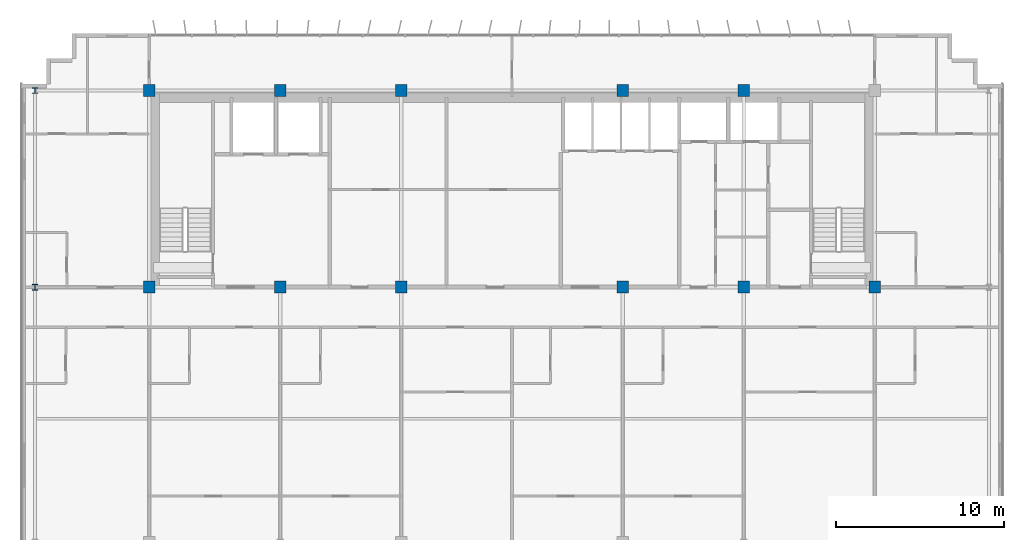
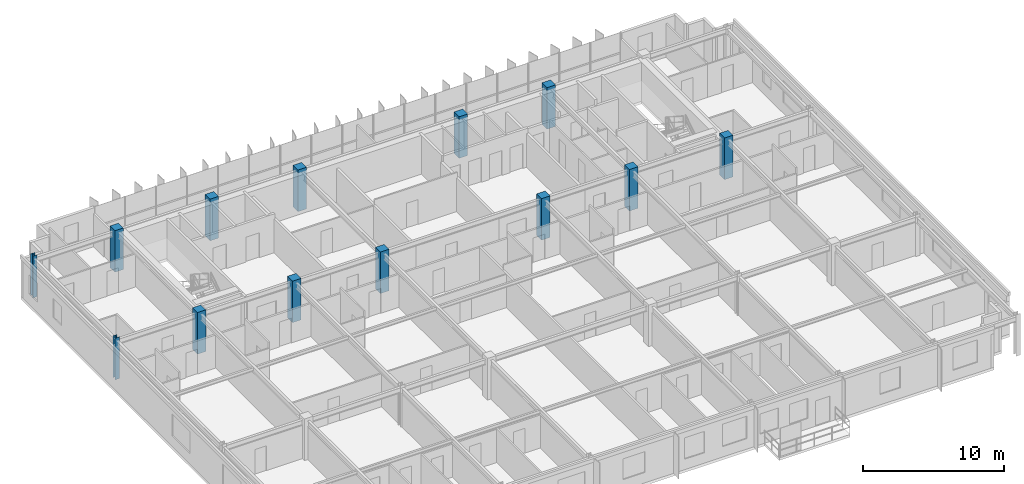
# One storey, part 3 of 23: 13 columns.
"""IFC4 building model written with IfcOpenShell, lengths in metres."""

from ifc_helpers import new_model, si_unit, direction, frame, origin, origin_2d, place, context, subcontext, project, spatial, rectangle, i_section, extrude, source, transform, mapped, material, material_profile, profile_set, type_object, element, save


model = new_model("IFC4")

# Units and contexts
model_context = context("Model", 3, precision=1e-05, world=origin(), true_north=direction((0.0, 1.0)))
body_context = subcontext(model_context, "Body", "Model", "MODEL_VIEW")
ifc_project = project(units=[si_unit("LENGTHUNIT", "METRE"), si_unit("AREAUNIT", "SQUARE_METRE"), si_unit("VOLUMEUNIT", "CUBIC_METRE"), si_unit("PLANEANGLEUNIT", "RADIAN"), si_unit("MASSUNIT", "GRAM", prefix="KILO")], contexts=[model_context])

# Site, building, storey
site_placement = place(None, origin())
site = spatial("IfcSite", under=ifc_project, at=site_placement, CompositionType="ELEMENT")
building_placement = place(site_placement, origin())
building = spatial("IfcBuilding", under=site, at=building_placement, Name="Trelvane Seafront Commons", CompositionType="ELEMENT")
storey_placement = place(building_placement, frame((0.0, 0.0, 222.89990234375)))
storey = spatial("IfcBuildingStorey", under=building, at=storey_placement, Name="L58", CompositionType="ELEMENT", Elevation=222.89990234375)

# Columns
ifc_material_1 = material(Name="Concrete C50/60", Category="concrete")
ifc_material_profile_1 = material_profile(ifc_material_1, rectangle(XDim=0.699951171875, YDim=0.699951171875, at=origin_2d()), Name="RC-700x700")
ifc_profile_set_1 = profile_set([ifc_material_profile_1], Name="Concrete C50/60")
column_type_1 = type_object("IfcColumnType", Name="STR-COL-RC700", PredefinedType="COLUMN", material=ifc_profile_set_1)
shared_shape_1 = source(origin(), body_context, "Body", "SweptSolid", [
    extrude(rectangle(XDim=0.699951171875, YDim=0.699951171875, at=origin_2d()), origin(), (0.0, 0.0, 1.0), 3.60009765625),
])
for number, where, z_axis, x_axis, name in (
    (1, (15.60009765625, 33.39990234375, 0.0), (0.0, 0.0, 1.0), (1.0, 0.0, 0.0), "L58 Column TC-CS15.6"),
    (2, (15.60009765625, 45.10009765625, 0.0), (0.0, 0.0, 1.0), (1.0, 0.0, 0.0), "L58 Column TC-CN15.6"),
    (3, (23.39990234375, 33.39990234375, 0.0), (0.0, 0.0, 1.0), (1.0, 0.0, 0.0), "L58 Column TC-CS23.4"),
    (4, (23.39990234375, 45.10009765625, 0.0), (0.0, 0.0, 1.0), (1.0, 0.0, 0.0), "L58 Column TC-CN23.4"),
    (5, (30.60009765625, 33.39990234375, 0.0), (0.0, 0.0, 1.0), (1.0, 0.0, 0.0), "L58 Column TC-CS30.6"),
    (6, (30.60009765625, 45.10009765625, 0.0), (0.0, 0.0, 1.0), (1.0, 0.0, 0.0), "L58 Column TC-CN30.6"),
    (7, (43.800048828125, 33.39990234375, 0.0), (0.0, 0.0, 1.0), (1.0, 0.0, 0.0), "L58 Column TC-CS43.8"),
    (8, (43.800048828125, 45.10009765625, 0.0), (0.0, 0.0, 1.0), (1.0, 0.0, 0.0), "L58 Column TC-CN43.8"),
    (9, (51.0, 33.39990234375, 0.0), (0.0, 0.0, 1.0), (1.0, 0.0, 0.0), "L58 Column TC-CS51.0"),
    (10, (51.0, 45.10009765625, 0.0), (0.0, 0.0, 1.0), (1.0, 0.0, 0.0), "L58 Column TC-CN51.0"),
    (11, (58.800048828125, 33.39990234375, 0.0), (0.0, 0.0, 1.0), (1.0, 0.0, 0.0), "L58 Column TC-CS58.8"),
):
    element("IfcColumn", number, at=place(storey_placement, frame(where, z_axis=z_axis, x_axis=x_axis)), inside=storey, type_object=column_type_1, Name=name, PredefinedType="COLUMN", context=body_context, shape_type="MappedRepresentation", body=[
        mapped(shared_shape_1, transform((0.0, 0.0, 0.0), x_axis=(1.0, 0.0, 0.0), y_axis=(0.0, 1.0, 0.0), z_axis=(0.0, 0.0, 1.0), scale=1.0)),
    ])
ifc_material_2 = material(Name="Steel SM355 (S355)", Category="steel")
ifc_material_profile_2 = material_profile(ifc_material_2, i_section(OverallWidth=0.35009765625, OverallDepth=0.35009765625, WebThickness=0.01806640625, FlangeThickness=0.028076171875, at=origin_2d()), Name="HD-350x350x18x28")
ifc_profile_set_2 = profile_set([ifc_material_profile_2], Name="Steel SM355 (S355)")
column_type_2 = type_object("IfcColumnType", Name="STR-COL-HD350", PredefinedType="COLUMN", material=ifc_profile_set_2)
shared_shape_2 = source(origin(), body_context, "Body", "SweptSolid", [
    extrude(i_section(OverallWidth=0.35009765625, OverallDepth=0.35009765625, WebThickness=0.01806640625, FlangeThickness=0.028076171875, at=origin_2d()), origin(), (0.0, 0.0, 1.0), 3.60009765625),
])
for number, where, z_axis, x_axis, name in (
    (12, (8.800048828125, 33.39990234375, 0.0), (0.0, 0.0, 1.0), (1.0, 0.0, 0.0), "L58 Column TC-CS8.8"),
    (13, (8.800048828125, 45.10009765625, 0.0), (0.0, 0.0, 1.0), (1.0, 0.0, 0.0), "L58 Column TC-CN8.8"),
):
    element("IfcColumn", number, at=place(storey_placement, frame(where, z_axis=z_axis, x_axis=x_axis)), inside=storey, type_object=column_type_2, Name=name, PredefinedType="COLUMN", context=body_context, shape_type="MappedRepresentation", body=[
        mapped(shared_shape_2, transform((0.0, 0.0, 0.0), x_axis=(1.0, 0.0, 0.0), y_axis=(0.0, 1.0, 0.0), z_axis=(0.0, 0.0, 1.0), scale=1.0)),
    ])

save(model, "model.ifc")
